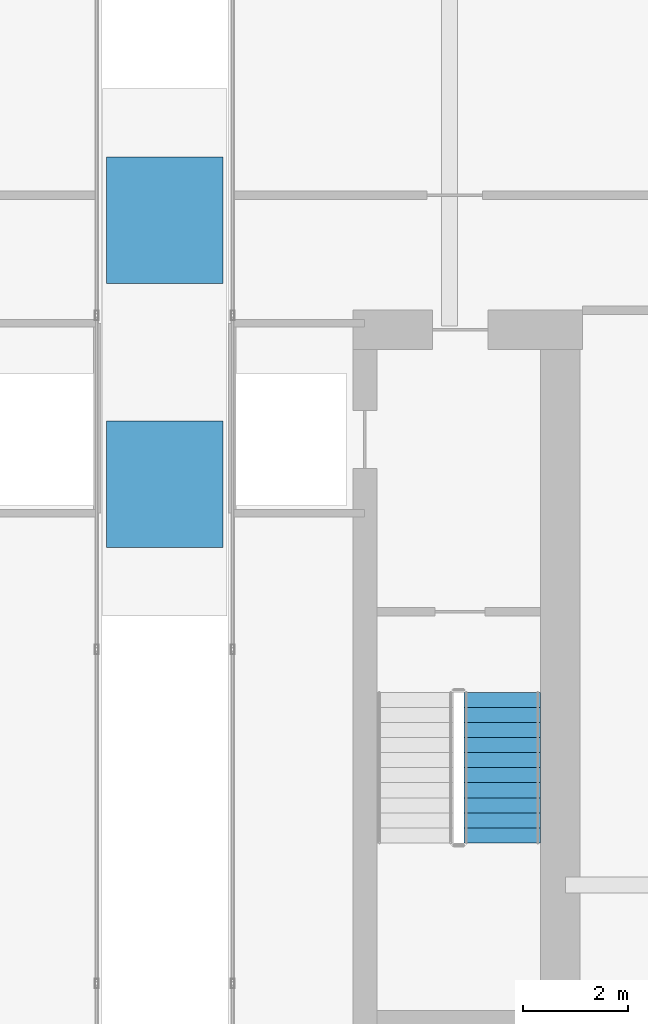
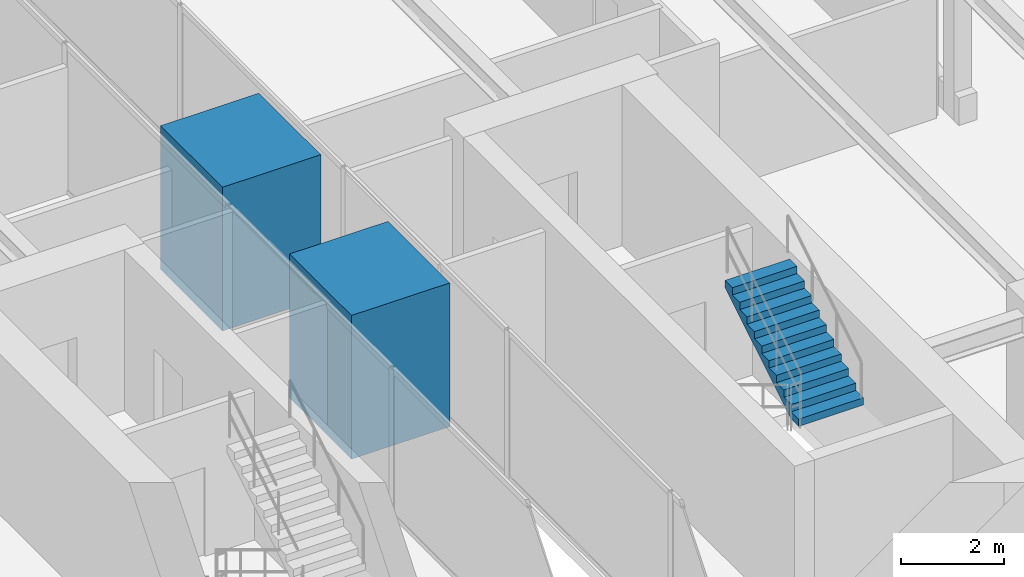
# One storey, part 24 of 25: 2 discrete accessories, 1 stair flight, 1 element without a shape of its own.
"""IFC4 building model written with IfcOpenShell, lengths in metres."""

import ifcopenshell
import ifcopenshell.guid

model = None  # the IFC model being written
_history = None  # IfcOwnerHistory: only IFC2X3 demands one
_inside = {}  # id of a spatial element -> (the spatial element, [elements in it])
_under = {}  # id of a project, library or spatial element -> (it, [spatial elements below it])
_declared = {}  # id of a project -> (the project, [libraries it declares])
_typed = {}  # id of a type object -> (the type object, [elements of that type])
_made_of = {}  # id of a material, layer set ... -> (it, [elements and type objects made of it])


def new_model(schema):
    """Start an empty IFC model of exactly this schema.

    Asked for "IFC4X3", IfcOpenShell would pick the latest addendum, in which some entities
    have other attributes; the version numbers below select the first issue.
    IFC2X3 requires an IfcOwnerHistory on every rooted entity: one is made here for all.
    """
    global model, _history
    if schema == "IFC4X3":
        model = ifcopenshell.file(schema_version=(4, 3, 0, 0))
    else:
        model = ifcopenshell.file(schema=schema)
    _inside.clear()
    _under.clear()
    _declared.clear()
    _typed.clear()
    _made_of.clear()
    _history = None
    if model.schema == "IFC2X3":
        org = make("IfcOrganization", Name="unknown")
        user = make(
            "IfcPersonAndOrganization",
            ThePerson=make("IfcPerson", FamilyName="unknown"),
            TheOrganization=org,
        )
        app = make(
            "IfcApplication",
            ApplicationDeveloper=org,
            Version="unknown",
            ApplicationFullName="unknown",
            ApplicationIdentifier="unknown",
        )
        _history = make(
            "IfcOwnerHistory",
            OwningUser=user,
            OwningApplication=app,
            ChangeAction="ADDED",
            CreationDate=0,
        )
    return model


def make(cls, **values):
    """One entity of the class cls with the attributes given. An attribute that is None is left unset."""
    return model.create_entity(
        cls, **{name: value for name, value in values.items() if value is not None}
    )


def rooted(cls, **values):
    """An entity with a GlobalId (a new one), such as an element, a storey or a relation."""
    return make(cls, GlobalId=ifcopenshell.guid.new(), OwnerHistory=_history, **values)


def si_unit(unit_type, name, prefix=None):
    """IfcSIUnit, for example si_unit("LENGTHUNIT", "METRE", prefix="MILLI")."""
    return make("IfcSIUnit", UnitType=unit_type, Prefix=prefix, Name=name)


def assignment(units):
    """IfcUnitAssignment: the units of a project."""
    return None if units is None else make("IfcUnitAssignment", Units=units)


def point(xyz):
    """IfcCartesianPoint."""
    return None if xyz is None else make("IfcCartesianPoint", Coordinates=xyz)


def direction(xyz):
    """IfcDirection."""
    return None if xyz is None else make("IfcDirection", DirectionRatios=xyz)


def frame(location, z_axis=None, x_axis=None):
    """IfcAxis2Placement3D, a coordinate frame: its origin and axes. An axis left out is left unset."""
    return make(
        "IfcAxis2Placement3D",
        Location=point(location),
        Axis=direction(z_axis),
        RefDirection=direction(x_axis),
    )


def frame_2d(location, x_axis=None):
    """IfcAxis2Placement2D, a coordinate frame in the plane: its origin and x axis."""
    return make(
        "IfcAxis2Placement2D", Location=point(location), RefDirection=direction(x_axis)
    )


def origin():
    """The frame at (0, 0, 0) with its axes left unset."""
    return frame((0.0, 0.0, 0.0))


def origin_2d():
    """The frame at (0, 0) in the plane with its x axis left unset."""
    return frame_2d((0.0, 0.0))


def place(relative_to, where):
    """IfcLocalPlacement: puts the frame where relative to a parent placement (None: the world)."""
    return make(
        "IfcLocalPlacement", PlacementRelTo=relative_to, RelativePlacement=where
    )


def context(
    kind, dimensions, precision=None, world=None, true_north=None, identifier=None
):
    """IfcGeometricRepresentationContext, for example the 3D "Model" context."""
    return make(
        "IfcGeometricRepresentationContext",
        ContextIdentifier=identifier,
        ContextType=kind,
        CoordinateSpaceDimension=dimensions,
        Precision=precision,
        WorldCoordinateSystem=world,
        TrueNorth=true_north,
    )


def subcontext(parent, identifier, kind, view, scale=None):
    """IfcGeometricRepresentationSubContext, for example "Body" below "Model"."""
    return make(
        "IfcGeometricRepresentationSubContext",
        ContextIdentifier=identifier,
        ContextType=kind,
        ParentContext=parent,
        TargetScale=scale,
        TargetView=view,
    )


def project(units=None, contexts=None):
    """IfcProject with its units and contexts."""
    return rooted(
        "IfcProject",
        Name="project",
        RepresentationContexts=contexts,
        UnitsInContext=assignment(units),
    )


def spatial(cls, under=None, at=None, **own):
    """A site, building, storey or space (cls), placed at a placement, below another one or the project."""
    s = rooted(cls, ObjectPlacement=at, **own)
    if under is not None:
        _under.setdefault(under.id(), (under, []))[1].append(s)
    return s


def polyline(points):
    """IfcPolyline through the points."""
    return make("IfcPolyline", Points=[point(p) for p in points])


def profile(cls, at=None, kind="AREA", **sizes):
    """A parametric profile (cls). Its sizes go by their IFC names, for example OverallWidth=200.0."""
    return make(cls, ProfileType=kind, Position=at, **sizes)


def rectangle(**sizes):
    """IfcRectangleProfileDef."""
    return profile("IfcRectangleProfileDef", **sizes)


def outline(outer, holes=None, kind="AREA"):
    """IfcArbitraryClosedProfileDef: a profile drawn as a closed curve; with holes, ...WithVoids."""
    if holes is None:
        return make("IfcArbitraryClosedProfileDef", ProfileType=kind, OuterCurve=outer)
    return make(
        "IfcArbitraryProfileDefWithVoids",
        ProfileType=kind,
        OuterCurve=outer,
        InnerCurves=holes,
    )


def extrude(swept, where, along, depth):
    """IfcExtrudedAreaSolid: the profile swept, set in the frame where, extruded along a direction by depth."""
    return make(
        "IfcExtrudedAreaSolid",
        SweptArea=swept,
        Position=where,
        ExtrudedDirection=direction(along),
        Depth=depth,
    )


def shape(context_of_items, identifier, shape_type, items):
    """IfcShapeRepresentation: the items that make up one representation, for example the "Body"."""
    return make(
        "IfcShapeRepresentation",
        ContextOfItems=context_of_items,
        RepresentationIdentifier=identifier,
        RepresentationType=shape_type,
        Items=items,
    )


def source(mapping_origin, context_of_items, identifier, shape_type, items):
    """IfcRepresentationMap: a shape defined once, which mapped items show again and again."""
    return make(
        "IfcRepresentationMap",
        MappingOrigin=mapping_origin,
        MappedRepresentation=shape(context_of_items, identifier, shape_type, items),
    )


def transform(
    local_origin,
    x_axis=None,
    y_axis=None,
    z_axis=None,
    scale=None,
    scale2=None,
    scale3=None,
    uniform=True,
):
    """IfcCartesianTransformationOperator3D, or its non-uniform kind. x_axis, y_axis, z_axis: its Axis1, 2, 3."""
    if uniform:
        return make(
            "IfcCartesianTransformationOperator3D",
            Axis1=direction(x_axis),
            Axis2=direction(y_axis),
            LocalOrigin=point(local_origin),
            Scale=scale,
            Axis3=direction(z_axis),
        )
    return make(
        "IfcCartesianTransformationOperator3DnonUniform",
        Axis1=direction(x_axis),
        Axis2=direction(y_axis),
        LocalOrigin=point(local_origin),
        Scale=scale,
        Axis3=direction(z_axis),
        Scale2=scale2,
        Scale3=scale3,
    )


def mapped(mapping_source, mapping_target):
    """IfcMappedItem: shows the shape of a source again, moved by a transform."""
    return make(
        "IfcMappedItem", MappingSource=mapping_source, MappingTarget=mapping_target
    )


def material(Name=None, Category=None):
    """IfcMaterial."""
    return make("IfcMaterial", Name=Name, Category=Category)


def made_of(thing, what):
    """Note that an element or type object is made of a material, layer set ...; save() writes the relation."""
    if what is not None:
        _made_of.setdefault(what.id(), (what, []))[1].append(thing)
    return thing


def type_object(cls, material=None, **own):
    """A type object (cls), such as IfcWallType, which elements share."""
    return made_of(rooted(cls, **own), material)


def type_shapes(of_type, sources):
    """Give a type object the sources (RepresentationMaps) that its elements show as mapped items."""
    of_type.RepresentationMaps = sources


def element(
    cls,
    number,
    at=None,
    inside=None,
    cuts=None,
    type_object=None,
    material=None,
    context=None,
    identifier="Body",
    shape_type=None,
    held_by="IfcProductDefinitionShape",
    body=None,
    shapes=None,
    **own,
):
    """One element of the class cls, such as IfcWall. Its Tag is "e" and its number.

    at: its placement. inside: the storey or other place that contains it. cuts: it is an
    opening in that element (IfcRelVoidsElement). A single representation is given by context,
    identifier, shape_type and body (its items); several are given by shapes. held_by: the class
    of the entity that holds the representations. save() writes the other relations.
    """
    e = rooted(cls, Tag="e%d" % number, ObjectPlacement=at, **own)
    if body is not None:
        shapes = [shape(context, identifier, shape_type, body)]
    if shapes is not None:
        e.Representation = make(held_by, Representations=shapes)
    if inside is not None:
        _inside.setdefault(inside.id(), (inside, []))[1].append(e)
    if cuts is not None:
        rooted(
            "IfcRelVoidsElement", RelatingBuildingElement=cuts, RelatedOpeningElement=e
        )
    if type_object is not None:
        _typed.setdefault(type_object.id(), (type_object, []))[1].append(e)
    return made_of(e, material)


def aggregate(whole, parts):
    """IfcRelAggregates: a whole, such as a stair, and the parts it consists of."""
    return rooted("IfcRelAggregates", RelatingObject=whole, RelatedObjects=parts)


def save(model, path):
    """Write the relations noted so far, then the file.

    IfcRelAggregates (storeys below a building ...), IfcRelContainedInSpatialStructure (elements
    in a storey), IfcRelDefinesByType, IfcRelAssociatesMaterial and IfcRelDeclares: one each for
    every whole, place, type object, material and project.
    """
    for whole, parts in _under.values():
        aggregate(whole, parts)
    for where, things in _inside.values():
        rooted(
            "IfcRelContainedInSpatialStructure",
            RelatedElements=things,
            RelatingStructure=where,
        )
    for kind, things in _typed.values():
        rooted("IfcRelDefinesByType", RelatedObjects=things, RelatingType=kind)
    for what, things in _made_of.values():
        rooted("IfcRelAssociatesMaterial", RelatedObjects=things, RelatingMaterial=what)
    for by, libraries in _declared.values():
        rooted("IfcRelDeclares", RelatingContext=by, RelatedDefinitions=libraries)
    model.write(path)


model = new_model("IFC4")

# Units and contexts
model_context = context("Model", 3, precision=1e-05, world=origin(), true_north=direction((0.0, 1.0)))
body_context = subcontext(model_context, "Body", "Model", "MODEL_VIEW")
ifc_project = project(units=[si_unit("LENGTHUNIT", "METRE"), si_unit("AREAUNIT", "SQUARE_METRE"), si_unit("VOLUMEUNIT", "CUBIC_METRE"), si_unit("PLANEANGLEUNIT", "RADIAN"), si_unit("MASSUNIT", "GRAM", prefix="KILO")], contexts=[model_context])

# Site, building, storey
site_placement = place(None, origin())
site = spatial("IfcSite", under=ifc_project, at=site_placement, CompositionType="ELEMENT")
building_placement = place(site_placement, origin())
building = spatial("IfcBuilding", under=site, at=building_placement, Name="Krantzveldt Concourse Tower", CompositionType="ELEMENT")
storey_placement = place(building_placement, frame((0.0, 0.0, 367.050048828125)))
storey = spatial("IfcBuildingStorey", under=building, at=storey_placement, Name="L90", CompositionType="ELEMENT", Elevation=367.050048828125)

# Stair, stair flight
ifc_material_1 = material(Name="Precast concrete C40/50", Category="concrete")
stair_type = type_object("IfcStairType", Name="STR-CORE-DOGLEG", PredefinedType="HALF_TURN_STAIR", material=ifc_material_1)
stair_placement = place(storey_placement, origin())
stair = element("IfcStair", 1, at=stair_placement, inside=storey, type_object=stair_type, Name="L90 Protected Escape Stair ST-2", PredefinedType="HALF_TURN_STAIR")
stair_flight_type = type_object("IfcStairFlightType", Name="STF-CORE-1450", PredefinedType="STRAIGHT", material=ifc_material_1)
stair_flight_placement = place(storey_placement, frame((42.39501953125, 16.699951171875, 1.89990234375), z_axis=(0.0, 0.0, 1.0), x_axis=(0.0, 1.0, 0.0)))
stair_flight = element("IfcStairFlight", 2, at=stair_flight_placement, type_object=stair_flight_type, Name="ST-2 flight 2", NumberOfRisers=11, NumberOfTreads=10, PredefinedType="STRAIGHT", RiserHeight=0.172727273, TreadLength=0.285, context=body_context, shape_type="SweptSolid", body=[
    extrude(outline(polyline([(0.0, 0.0), (0.0, 0.172607421875), (0.284912109375, 0.172607421875), (0.284912109375, 0.345458984375), (0.570068359375, 0.345458984375), (0.570068359375, 0.51806640625), (0.85498046875, 0.51806640625), (0.85498046875, 0.69091796875), (1.139892578125, 0.69091796875), (1.139892578125, 0.863525390625), (1.425048828125, 0.863525390625), (1.425048828125, 1.036376953125), (1.7099609375, 1.036376953125), (1.7099609375, 1.208984375), (1.9951171875, 1.208984375), (1.9951171875, 1.3818359375), (2.280029296875, 1.3818359375), (2.280029296875, 1.554443359375), (2.56494140625, 1.554443359375), (2.56494140625, 1.727294921875), (2.85009765625, 1.727294921875), (2.85009765625, 1.89990234375), (2.85009765625, 1.552001953125), (0.289306640625, 0.0), (0.0, 0.0)])), frame((0.0, 0.72509765625, 0.0), z_axis=(0.0, -1.0, 0.0), x_axis=(1.0, 0.0, 0.0)), (0.0, 0.0, 1.0), 1.449951171875),
])
aggregate(stair, [stair_flight])

# Discrete accessories
ifc_material_2 = material(Name="Anodised aluminium 6063-T6", Category="aluminium")
discrete_accessory_type = type_object("IfcDiscreteAccessoryType", Name="EQ-TURBINE-HAWT", PredefinedType="USERDEFINED", material=ifc_material_2)
shared_shape = source(origin(), body_context, "Body", "SweptSolid", [
    extrude(rectangle(XDim=2.199951171875, YDim=2.39990234375, at=origin_2d()), origin(), (0.0, 0.0, 1.0), 3.39990234375),
])
type_shapes(discrete_accessory_type, [shared_shape])
for number, where, z_axis, x_axis, name in (
    (3, (36.0, 23.5, 0.10009765625), (0.0, 0.0, 1.0), (1.0, 0.0, 0.0), "Crown Horizontal-Axis Wind Turbine 1"),
    (4, (36.0, 28.5, 0.10009765625), (0.0, 0.0, 1.0), (1.0, 0.0, 0.0), "Crown Horizontal-Axis Wind Turbine 2"),
):
    element("IfcDiscreteAccessory", number, at=place(storey_placement, frame(where, z_axis=z_axis, x_axis=x_axis)), inside=storey, type_object=discrete_accessory_type, Name=name, ObjectType="WIND TURBINE", PredefinedType="USERDEFINED", context=body_context, shape_type="MappedRepresentation", body=[
        mapped(shared_shape, transform((0.0, 0.0, 0.0), x_axis=(1.0, 0.0, 0.0), y_axis=(0.0, 1.0, 0.0), z_axis=(0.0, 0.0, 1.0), scale=1.0)),
    ])

save(model, "model.ifc")
